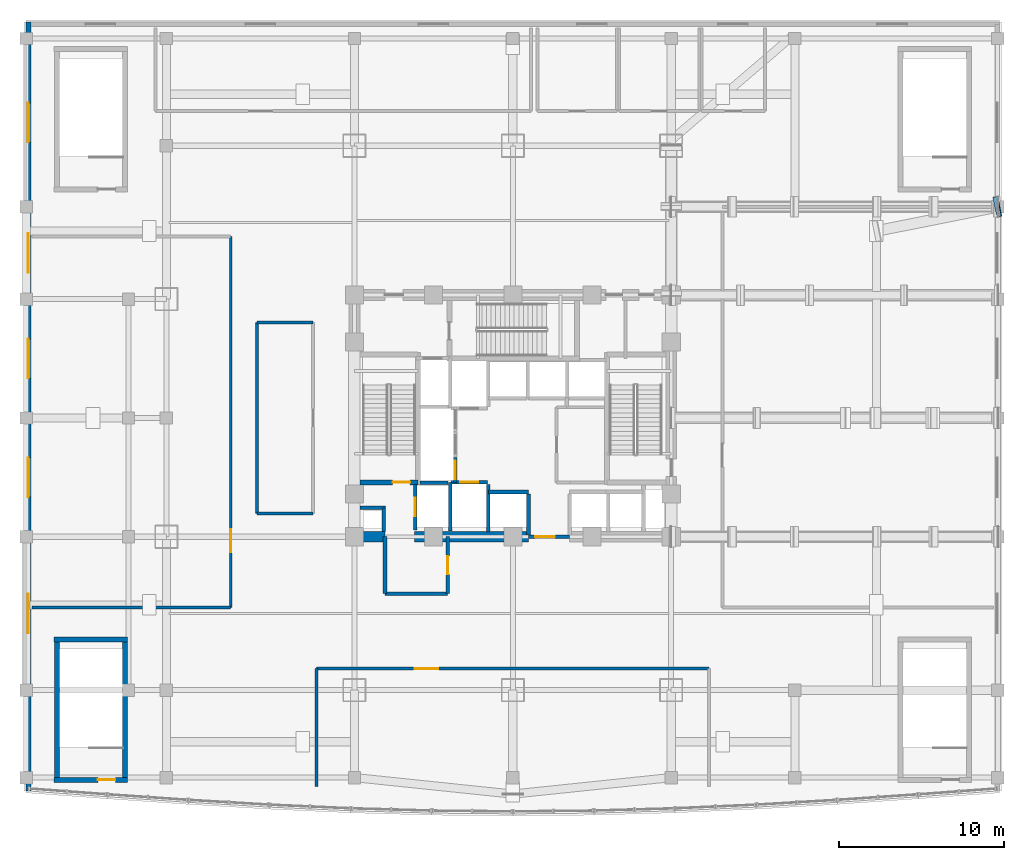
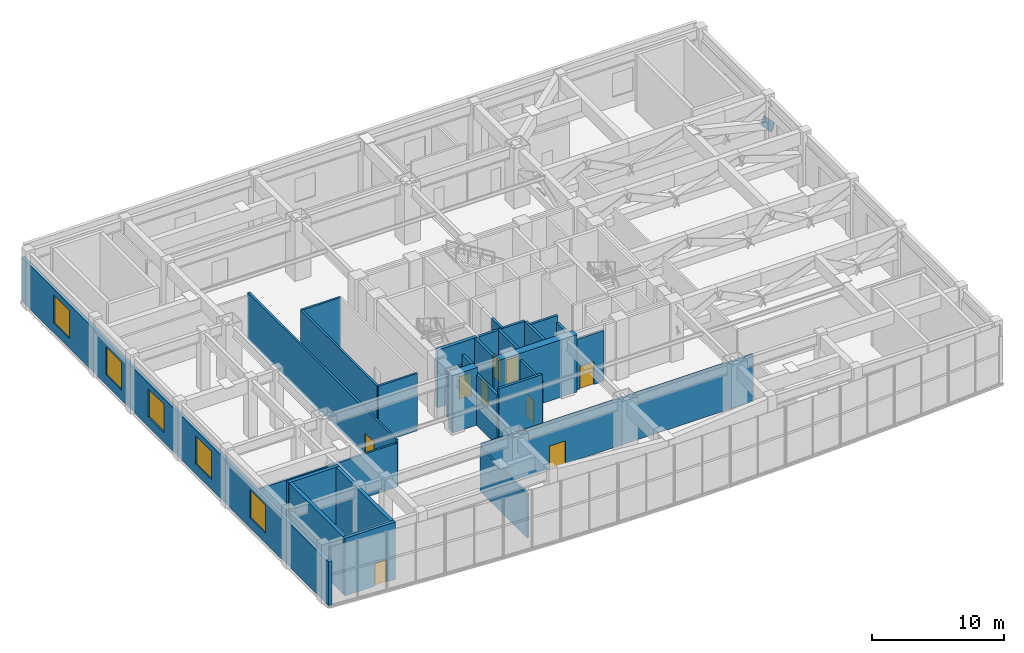
# One storey, part 12 of 19: 29 walls, 9 doors, 5 windows, 1 plate, 14 openings.
"""IFC4 building model written with IfcOpenShell, lengths in metres."""

from ifc_helpers import new_model, si_unit, direction, frame, frame_2d, origin, place, context, subcontext, project, spatial, polyline, rectangle, outline, extrude, material, layer, layer_set, type_object, element, fill, save


model = new_model("IFC4")

# Units and contexts
model_context = context("Model", 3, precision=1e-05, world=origin(), true_north=direction((0.0, 1.0)))
body_context = subcontext(model_context, "Body", "Model", "MODEL_VIEW")
ifc_project = project(units=[si_unit("LENGTHUNIT", "METRE"), si_unit("AREAUNIT", "SQUARE_METRE"), si_unit("VOLUMEUNIT", "CUBIC_METRE"), si_unit("PLANEANGLEUNIT", "RADIAN"), si_unit("MASSUNIT", "GRAM", prefix="KILO")], contexts=[model_context])

# Site, building, storey
site_placement = place(None, origin())
site = spatial("IfcSite", under=ifc_project, at=site_placement, CompositionType="ELEMENT")
building_placement = place(site_placement, origin())
building = spatial("IfcBuilding", under=site, at=building_placement, Name="Vantalir Tower", CompositionType="ELEMENT")
storey_placement = place(building_placement, frame((0.0, 0.0, 21.5)))
storey = spatial("IfcBuildingStorey", under=building, at=storey_placement, Name="L04", CompositionType="ELEMENT", Elevation=21.5)

# Plate
ifc_material_1 = material(Name="Steel S460", Category="steel")
ifc_layer_1 = layer(ifc_material_1, 0.050048828125)
ifc_layer_set_1 = layer_set([ifc_layer_1], Name="Steel S460")
plate_type = type_object("IfcPlateType", Name="PLT-TN-01", PredefinedType="USERDEFINED", material=ifc_layer_set_1)
plate_placement = place(storey_placement, frame((60.59521484375, 38.37646484375, 2.151611328125), z_axis=(-0.92076637307, -0.183658140337, 0.344178694447), x_axis=(0.19559791222, -0.980684177387, -3.0949219e-05)))
element("IfcPlate", 1, at=plate_placement, inside=storey, type_object=plate_type, Name="Node Cap Plate MEM-L04-XSTRUT-02 Start", ObjectType="FLANGE_PLATE", PredefinedType="USERDEFINED", context=body_context, shape_type="SweptSolid", body=[
    extrude(outline(polyline([(0.0, 0.0), (1.2499533117169481, 0.0), (1.2499718237968156, 0.819906980363712), (-2.9241316670640397e-05, 0.819824574044397), (0.0, 0.0)])), origin(), (0.0, 0.0, -1.0), 0.050048828125),
])

# Walls
ifc_material_2 = material(Name="Concrete C60/75", Category="concrete")
ifc_layer_2 = layer(ifc_material_2, 0.64990234375)
ifc_layer_set_2 = layer_set([ifc_layer_2], Name="Concrete C60/75")
wall_type_1 = type_object("IfcWallType", Name="WL-CORE-650", PredefinedType="SHEAR", material=ifc_layer_set_2)
wall_1_placement = place(storey_placement, frame((21.574951171875, 17.800048828125, 0.0), z_axis=(0.0, 0.0, 1.0), x_axis=(1.0, 0.0, 0.0)))
element("IfcWall", 2, at=wall_1_placement, inside=storey, type_object=wall_type_1, Name="L04 Core Shear Wall South-West", PredefinedType="SHEAR", context=body_context, shape_type="SweptSolid", body=[
    extrude(rectangle(XDim=2.175048828125, YDim=0.64990234375, at=frame_2d((1.08740234375, 0.0))), origin(), (0.0, 0.0, 1.0), 5.320068359375),
])
wall_2_placement = place(storey_placement, frame((25.550048828125, 17.800048828125, 0.0), z_axis=(0.0, 0.0, 1.0), x_axis=(1.0, 0.0, 0.0)))
element("IfcWall", 3, at=wall_2_placement, inside=storey, type_object=wall_type_1, Name="L04 Core Shear Wall South-Mid", PredefinedType="SHEAR", context=body_context, shape_type="SweptSolid", body=[
    extrude(rectangle(XDim=6.89990234375, YDim=0.64990234375, at=frame_2d((3.449951171875, 0.0))), origin(), (0.0, 0.0, 1.0), 5.320068359375),
])

# Wall, openings, windows
ifc_material_3 = material(Name="Precast concrete C40/50 with insulated PVDF rainscreen", Category="concrete")
ifc_layer_3 = layer(ifc_material_3, 0.280029296875)
ifc_layer_set_3 = layer_set([ifc_layer_3], Name="Precast concrete C40/50 with insulated PVDF rainscreen")
wall_type_2 = type_object("IfcWallType", Name="WL-EXT-POD-280", PredefinedType="SOLIDWALL", material=ifc_layer_set_3)
wall_3_placement = place(storey_placement, frame((2.139892578125, 49.0, 0.0), z_axis=(0.0, 0.0, 1.0), x_axis=(0.0, -1.0, 0.0)))
wall_3 = element("IfcWall", 4, at=wall_3_placement, inside=storey, type_object=wall_type_2, Name="L04 Podium West Precast Facade Wall", PredefinedType="SOLIDWALL", context=body_context, shape_type="SweptSolid", body=[
    extrude(rectangle(XDim=46.60009765625, YDim=0.280029296875, at=frame_2d((23.300048828125, 0.0))), origin(), (0.0, 0.0, 1.0), 4.044921875),
])
opening_1_placement = place(wall_3_placement, frame((34.64990234375, 0.0, 0.89990234375)))
opening_1 = element("IfcOpeningElement", 5, at=opening_1_placement, cuts=wall_3, Name="Opening WN-1", PredefinedType="OPENING", context=body_context, shape_type="SweptSolid", body=[
    extrude(rectangle(XDim=2.39990234375, YDim=2.60009765625, at=frame_2d((1.199951171875, 1.300048828125))), frame((0.0, 0.14990234375, 0.0), z_axis=(0.0, -1.0, 0.0), x_axis=(1.0, 0.0, 0.0)), (0.0, 0.0, 1.0), 0.300048828125),
])
opening_2_placement = place(wall_3_placement, frame((26.39990234375, 0.0, 0.89990234375)))
opening_2 = element("IfcOpeningElement", 6, at=opening_2_placement, cuts=wall_3, Name="Opening WN-1", PredefinedType="OPENING", context=body_context, shape_type="SweptSolid", body=[
    extrude(rectangle(XDim=2.39990234375, YDim=2.60009765625, at=frame_2d((1.199951171875, 1.300048828125))), frame((0.0, 0.14990234375, 0.0), z_axis=(0.0, -1.0, 0.0), x_axis=(1.0, 0.0, 0.0)), (0.0, 0.0, 1.0), 0.300048828125),
])
opening_3_placement = place(wall_3_placement, frame((19.199951171875, 0.0, 0.89990234375)))
opening_3 = element("IfcOpeningElement", 7, at=opening_3_placement, cuts=wall_3, Name="Opening WN-1", PredefinedType="OPENING", context=body_context, shape_type="SweptSolid", body=[
    extrude(rectangle(XDim=2.39990234375, YDim=2.60009765625, at=frame_2d((1.199951171875, 1.300048828125))), frame((0.0, 0.14990234375, 0.0), z_axis=(0.0, -1.0, 0.0), x_axis=(1.0, 0.0, 0.0)), (0.0, 0.0, 1.0), 0.300048828125),
])
opening_4_placement = place(wall_3_placement, frame((12.800048828125, 0.0, 0.89990234375)))
opening_4 = element("IfcOpeningElement", 8, at=opening_4_placement, cuts=wall_3, Name="Opening WN-1", PredefinedType="OPENING", context=body_context, shape_type="SweptSolid", body=[
    extrude(rectangle(XDim=2.39990234375, YDim=2.60009765625, at=frame_2d((1.199951171875, 1.300048828125))), frame((0.0, 0.14990234375, 0.0), z_axis=(0.0, -1.0, 0.0), x_axis=(1.0, 0.0, 0.0)), (0.0, 0.0, 1.0), 0.300048828125),
])
opening_5_placement = place(wall_3_placement, frame((4.89990234375, 0.0, 0.89990234375)))
opening_5 = element("IfcOpeningElement", 9, at=opening_5_placement, cuts=wall_3, Name="Opening WN-1", PredefinedType="OPENING", context=body_context, shape_type="SweptSolid", body=[
    extrude(rectangle(XDim=2.39990234375, YDim=2.60009765625, at=frame_2d((1.199951171875, 1.300048828125))), frame((0.0, 0.14990234375, 0.0), z_axis=(0.0, -1.0, 0.0), x_axis=(1.0, 0.0, 0.0)), (0.0, 0.0, 1.0), 0.300048828125),
])
ifc_material_4 = material(Name="Double-silver Low-E thermally broken window", Category="glass")
window_type = type_object("IfcWindowType", Name="WIN-POD-2400x2600", PartitioningType="SINGLE_PANEL", PredefinedType="WINDOW", material=ifc_material_4)
window_1_placement = place(opening_1_placement, origin())
window_1 = element("IfcWindow", 10, at=window_1_placement, inside=storey, type_object=window_type, Name="L04 West Podium Window W01", OverallHeight=2.60009765625, OverallWidth=2.39990234375, PartitioningType="SINGLE_PANEL", PredefinedType="WINDOW", context=body_context, shape_type="SweptSolid", body=[
    extrude(rectangle(XDim=2.39990234375, YDim=2.60009765625, at=frame_2d((1.199951171875, 1.300048828125))), frame((0.0, 0.030029296875, 0.0), z_axis=(0.0, -1.0, 0.0), x_axis=(1.0, 0.0, 0.0)), (0.0, 0.0, 1.0), 0.06005859375),
])
fill(opening_1, window_1)
window_2_placement = place(opening_2_placement, origin())
window_2 = element("IfcWindow", 11, at=window_2_placement, inside=storey, type_object=window_type, Name="L04 West Podium Window W02", OverallHeight=2.60009765625, OverallWidth=2.39990234375, PartitioningType="SINGLE_PANEL", PredefinedType="WINDOW", context=body_context, shape_type="SweptSolid", body=[
    extrude(rectangle(XDim=2.39990234375, YDim=2.60009765625, at=frame_2d((1.199951171875, 1.300048828125))), frame((0.0, 0.030029296875, 0.0), z_axis=(0.0, -1.0, 0.0), x_axis=(1.0, 0.0, 0.0)), (0.0, 0.0, 1.0), 0.06005859375),
])
fill(opening_2, window_2)
window_3_placement = place(opening_3_placement, origin())
window_3 = element("IfcWindow", 12, at=window_3_placement, inside=storey, type_object=window_type, Name="L04 West Podium Window W03", OverallHeight=2.60009765625, OverallWidth=2.39990234375, PartitioningType="SINGLE_PANEL", PredefinedType="WINDOW", context=body_context, shape_type="SweptSolid", body=[
    extrude(rectangle(XDim=2.39990234375, YDim=2.60009765625, at=frame_2d((1.199951171875, 1.300048828125))), frame((0.0, 0.030029296875, 0.0), z_axis=(0.0, -1.0, 0.0), x_axis=(1.0, 0.0, 0.0)), (0.0, 0.0, 1.0), 0.06005859375),
])
fill(opening_3, window_3)
window_4_placement = place(opening_4_placement, origin())
window_4 = element("IfcWindow", 13, at=window_4_placement, inside=storey, type_object=window_type, Name="L04 West Podium Window W04", OverallHeight=2.60009765625, OverallWidth=2.39990234375, PartitioningType="SINGLE_PANEL", PredefinedType="WINDOW", context=body_context, shape_type="SweptSolid", body=[
    extrude(rectangle(XDim=2.39990234375, YDim=2.60009765625, at=frame_2d((1.199951171875, 1.300048828125))), frame((0.0, 0.030029296875, 0.0), z_axis=(0.0, -1.0, 0.0), x_axis=(1.0, 0.0, 0.0)), (0.0, 0.0, 1.0), 0.06005859375),
])
fill(opening_4, window_4)
window_5_placement = place(opening_5_placement, origin())
window_5 = element("IfcWindow", 14, at=window_5_placement, inside=storey, type_object=window_type, Name="L04 West Podium Window W05", OverallHeight=2.60009765625, OverallWidth=2.39990234375, PartitioningType="SINGLE_PANEL", PredefinedType="WINDOW", context=body_context, shape_type="SweptSolid", body=[
    extrude(rectangle(XDim=2.39990234375, YDim=2.60009765625, at=frame_2d((1.199951171875, 1.300048828125))), frame((0.0, 0.030029296875, 0.0), z_axis=(0.0, -1.0, 0.0), x_axis=(1.0, 0.0, 0.0)), (0.0, 0.0, 1.0), 0.06005859375),
])
fill(opening_5, window_5)

# Walls
ifc_material_5 = material(Name="Concrete blockwork with fireboard lining", Category="masonry")
ifc_layer_4 = layer(ifc_material_5, 0.219970703125)
ifc_layer_set_4 = layer_set([ifc_layer_4], Name="Concrete blockwork with fireboard lining")
wall_type_3 = type_object("IfcWallType", Name="WL-FFL-220", PredefinedType="PARTITIONING", material=ifc_layer_set_4)
wall_4_placement = place(storey_placement, frame((30.0, 18.080078125, 0.0), z_axis=(0.0, 0.0, 1.0), x_axis=(0.0, 1.0, 0.0)))
element("IfcWall", 15, at=wall_4_placement, inside=storey, type_object=wall_type_3, Name="L04 Service Lift SV1 East Shaft Wall", PredefinedType="PARTITIONING", context=body_context, shape_type="SweptSolid", body=[
    extrude(rectangle(XDim=2.89990234375, YDim=0.219970703125, at=frame_2d((1.449951171875, 0.0))), origin(), (0.0, 0.0, 1.0), 5.294921875),
])
wall_5_placement = place(storey_placement, frame((32.449951171875, 17.919921875, 0.0), z_axis=(0.0, 0.0, 1.0), x_axis=(0.0, 1.0, 0.0)))
element("IfcWall", 16, at=wall_5_placement, inside=storey, type_object=wall_type_3, Name="L04 Shuttle Lift PL-X1 East Shaft Cheek", PredefinedType="PARTITIONING", context=body_context, shape_type="SweptSolid", body=[
    extrude(rectangle(XDim=2.469970703125, YDim=0.219970703125, at=frame_2d((1.23486328125, 0.0))), origin(), (0.0, 0.0, 1.0), 4.678955078125),
])

# Wall, opening, door
wall_6_placement = place(storey_placement, frame((32.449951171875, 17.800048828125, 0.0), z_axis=(0.0, 0.0, 1.0), x_axis=(1.0, 0.0, 0.0)))
wall_6 = element("IfcWall", 17, at=wall_6_placement, inside=storey, type_object=wall_type_3, Name="L04 Passenger Lift Lobby South Wall", PredefinedType="PARTITIONING", context=body_context, shape_type="SweptSolid", body=[
    extrude(rectangle(XDim=2.5, YDim=0.219970703125, at=frame_2d((1.25, 0.0))), origin(), (0.0, 0.0, 1.0), 4.678955078125),
])
opening_6_placement = place(wall_6_placement, frame((0.39990234375, 0.0, 0.0)))
opening_6 = element("IfcOpeningElement", 18, at=opening_6_placement, cuts=wall_6, Name="Opening D-STE", PredefinedType="OPENING", context=body_context, shape_type="SweptSolid", body=[
    extrude(rectangle(XDim=1.199951171875, YDim=2.10009765625, at=frame_2d((0.60009765625, 1.050048828125))), frame((0.0, 0.119873046875, 0.0), z_axis=(0.0, -1.0, 0.0), x_axis=(1.0, 0.0, 0.0)), (0.0, 0.0, 1.0), 0.239990234375),
])
ifc_material_6 = material(Name="Solid-core teak veneer suite entrance door", Category="wood")
door_type_1 = type_object("IfcDoorType", Name="DR-SUITE-ENTRY-1200", OperationType="NOTDEFINED", PredefinedType="DOOR", material=ifc_material_6)
door_1_placement = place(opening_6_placement, origin())
door_1 = element("IfcDoor", 19, at=door_1_placement, inside=storey, type_object=door_type_1, Name="L04 Passenger Lift Lobby Concourse Door", OperationType="SINGLE_SWING_LEFT", OverallHeight=2.10009765625, OverallWidth=1.199951171875, PredefinedType="DOOR", context=body_context, shape_type="SweptSolid", body=[
    extrude(rectangle(XDim=1.199951171875, YDim=2.10009765625, at=frame_2d((0.60009765625, 1.050048828125))), frame((0.0, 0.02490234375, 0.0), z_axis=(0.0, -1.0, 0.0), x_axis=(1.0, 0.0, 0.0)), (0.0, 0.0, 1.0), 0.050048828125),
])
fill(opening_6, door_1)

# Walls
wall_7_placement = place(storey_placement, frame((23.679931640625, 18.125, 0.0), z_axis=(0.0, 0.0, 1.0), x_axis=(0.0, 1.0, 0.0)))
element("IfcWall", 20, at=wall_7_placement, inside=storey, type_object=wall_type_3, Name="L04 West MEP Riser Wall E", PredefinedType="PARTITIONING", context=body_context, shape_type="SweptSolid", body=[
    extrude(rectangle(XDim=1.425048828125, YDim=0.219970703125, at=frame_2d((0.71240234375, 0.0))), origin(), (0.0, 0.0, 1.0), 5.300048828125),
])
wall_8_placement = place(storey_placement, frame((22.22509765625, 19.550048828125, 0.0), z_axis=(0.0, 0.0, 1.0), x_axis=(1.0, 0.0, 0.0)))
element("IfcWall", 21, at=wall_8_placement, inside=storey, type_object=wall_type_3, Name="L04 West MEP Riser Wall N", PredefinedType="PARTITIONING", context=body_context, shape_type="SweptSolid", body=[
    extrude(rectangle(XDim=1.56494140625, YDim=0.219970703125, at=frame_2d((0.782470703125, 0.0))), origin(), (0.0, 0.0, 1.0), 4.344970703125),
])

# Wall, opening, door
wall_9_placement = place(storey_placement, frame((25.590087890625, 18.219970703125, 0.0), z_axis=(0.0, 0.0, 1.0), x_axis=(0.0, 1.0, 0.0)))
wall_9 = element("IfcWall", 22, at=wall_9_placement, inside=storey, type_object=wall_type_3, Name="L04 Lift FL1 Shaft Front Wall", PredefinedType="PARTITIONING", context=body_context, shape_type="SweptSolid", body=[
    extrude(rectangle(XDim=2.760009765625, YDim=0.219970703125, at=frame_2d((1.3798828125, 0.0))), origin(), (0.0, 0.0, 1.0), 5.300048828125),
])
opening_7_placement = place(wall_9_placement, frame((0.830078125, 0.0, 0.0)))
opening_7 = element("IfcOpeningElement", 23, at=opening_7_placement, cuts=wall_9, Name="Opening LD-FL1", PredefinedType="OPENING", context=body_context, shape_type="SweptSolid", body=[
    extrude(rectangle(XDim=1.10009765625, YDim=2.199951171875, at=frame_2d((0.550048828125, 1.10009765625))), frame((0.0, 0.119873046875, 0.0), z_axis=(0.0, -1.0, 0.0), x_axis=(1.0, 0.0, 0.0)), (0.0, 0.0, 1.0), 0.239990234375),
])
ifc_material_7 = material(Name="Brushed stainless-steel sliding lift landing door", Category="steel")
door_type_2 = type_object("IfcDoorType", Name="DR-LIFT-LANDING-1100", OperationType="DOUBLE_DOOR_SLIDING", PredefinedType="DOOR", material=ifc_material_7)
door_2_placement = place(opening_7_placement, origin())
door_2 = element("IfcDoor", 24, at=door_2_placement, inside=storey, type_object=door_type_2, Name="L04 Lift Landing Door FL1", OperationType="DOUBLE_DOOR_SLIDING", OverallHeight=2.199951171875, OverallWidth=1.10009765625, PredefinedType="DOOR", context=body_context, shape_type="SweptSolid", body=[
    extrude(rectangle(XDim=1.10009765625, YDim=2.199951171875, at=frame_2d((0.550048828125, 1.10009765625))), frame((0.0, 0.02490234375, 0.0), z_axis=(0.0, -1.0, 0.0), x_axis=(1.0, 0.0, 0.0)), (0.0, 0.0, 1.0), 0.050048828125),
])
fill(opening_7, door_2)

wall_10_placement = place(storey_placement, frame((27.739990234375, 21.110107421875, 0.0), z_axis=(0.0, 0.0, 1.0), x_axis=(1.0, 0.0, 0.0)))
wall_10 = element("IfcWall", 25, at=wall_10_placement, inside=storey, type_object=wall_type_3, Name="L04 Lift SV1 Shaft Front Wall", PredefinedType="PARTITIONING", context=body_context, shape_type="SweptSolid", body=[
    extrude(rectangle(XDim=2.219970703125, YDim=0.219970703125, at=frame_2d((1.10986328125, 0.0))), origin(), (0.0, 0.0, 1.0), 5.300048828125),
])
opening_8_placement = place(wall_10_placement, frame((0.56005859375, 0.0, 0.0)))
opening_8 = element("IfcOpeningElement", 26, at=opening_8_placement, cuts=wall_10, Name="Opening LD-SV1", PredefinedType="OPENING", context=body_context, shape_type="SweptSolid", body=[
    extrude(rectangle(XDim=1.10009765625, YDim=2.199951171875, at=frame_2d((0.550048828125, 1.10009765625))), frame((0.0, 0.119873046875, 0.0), z_axis=(0.0, -1.0, 0.0), x_axis=(1.0, 0.0, 0.0)), (0.0, 0.0, 1.0), 0.239990234375),
])
door_3_placement = place(opening_8_placement, origin())
door_3 = element("IfcDoor", 27, at=door_3_placement, inside=storey, type_object=door_type_2, Name="L04 Lift Landing Door SV1", OperationType="DOUBLE_DOOR_SLIDING", OverallHeight=2.199951171875, OverallWidth=1.10009765625, PredefinedType="DOOR", context=body_context, shape_type="SweptSolid", body=[
    extrude(rectangle(XDim=1.10009765625, YDim=2.199951171875, at=frame_2d((0.550048828125, 1.10009765625))), frame((0.0, 0.02490234375, 0.0), z_axis=(0.0, -1.0, 0.0), x_axis=(1.0, 0.0, 0.0)), (0.0, 0.0, 1.0), 0.050048828125),
])
fill(opening_8, door_3)

# Wall
wall_11_placement = place(storey_placement, frame((30.0400390625, 20.510009765625, 0.0), z_axis=(0.0, 0.0, 1.0), x_axis=(1.0, 0.0, 0.0)))
element("IfcWall", 28, at=wall_11_placement, inside=storey, type_object=wall_type_3, Name="L04 Lift PL-X1 Shaft Front Wall", PredefinedType="PARTITIONING", context=body_context, shape_type="SweptSolid", body=[
    extrude(rectangle(XDim=2.419921875, YDim=0.219970703125, at=frame_2d((1.2099609375, 0.0))), origin(), (0.0, 0.0, 1.0), 5.300048828125),
])

# Wall, opening, door
wall_12_placement = place(storey_placement, frame((28.010009765625, 21.10009765625, 0.0), z_axis=(0.0, 0.0, 1.0), x_axis=(0.0, 1.0, 0.0)))
wall_12 = element("IfcWall", 29, at=wall_12_placement, inside=storey, type_object=wall_type_3, Name="L04 Lift PL-L1 Shaft Front Wall", PredefinedType="PARTITIONING", context=body_context, shape_type="SweptSolid", body=[
    extrude(rectangle(XDim=1.5, YDim=0.219970703125, at=frame_2d((0.75, 0.0))), origin(), (0.0, 0.0, 1.0), 5.300048828125),
])
opening_9_placement = place(wall_12_placement, frame((0.199951171875, 0.0, 0.0)))
opening_9 = element("IfcOpeningElement", 30, at=opening_9_placement, cuts=wall_12, Name="Opening LD-PL-L1", PredefinedType="OPENING", context=body_context, shape_type="SweptSolid", body=[
    extrude(rectangle(XDim=1.10009765625, YDim=2.199951171875, at=frame_2d((0.550048828125, 1.10009765625))), frame((0.0, 0.119873046875, 0.0), z_axis=(0.0, -1.0, 0.0), x_axis=(1.0, 0.0, 0.0)), (0.0, 0.0, 1.0), 0.239990234375),
])
door_4_placement = place(opening_9_placement, frame((1.10009765625, 0.0, 0.0), z_axis=(0.0, 0.0, 1.0), x_axis=(-1.0, 0.0, 0.0)))
door_4 = element("IfcDoor", 31, at=door_4_placement, inside=storey, type_object=door_type_2, Name="L04 Lift Landing Door PL-L1", OperationType="DOUBLE_DOOR_SLIDING", OverallHeight=2.199951171875, OverallWidth=1.10009765625, PredefinedType="DOOR", context=body_context, shape_type="SweptSolid", body=[
    extrude(rectangle(XDim=1.10009765625, YDim=2.199951171875, at=frame_2d((0.550048828125, 1.10009765625))), frame((0.0, 0.02490234375, 0.0), z_axis=(0.0, -1.0, 0.0), x_axis=(1.0, 0.0, 0.0)), (0.0, 0.0, 1.0), 0.050048828125),
])
fill(opening_9, door_4)

# Walls
wall_13_placement = place(storey_placement, frame((27.699951171875, 18.14990234375, 0.0), z_axis=(0.0, 0.0, 1.0), x_axis=(0.0, 1.0, 0.0)))
element("IfcWall", 32, at=wall_13_placement, inside=storey, type_object=wall_type_3, Name="L04 Fire Lift FL1 Dividing Wall", PredefinedType="PARTITIONING", context=body_context, shape_type="SweptSolid", body=[
    extrude(rectangle(XDim=2.9501953125, YDim=0.219970703125, at=frame_2d((1.47509765625, 0.0))), origin(), (0.0, 0.0, 1.0), 5.300048828125),
])
wall_14_placement = place(storey_placement, frame((25.8798828125, 21.080078125, 0.0), z_axis=(0.0, 0.0, 1.0), x_axis=(1.0, 0.0, 0.0)))
element("IfcWall", 33, at=wall_14_placement, inside=storey, type_object=wall_type_3, Name="L04 Low-Rise Bank South Wall", PredefinedType="PARTITIONING", context=body_context, shape_type="SweptSolid", body=[
    extrude(rectangle(XDim=1.7001953125, YDim=0.219970703125, at=frame_2d((0.85009765625, 0.0))), origin(), (0.0, 0.0, 1.0), 5.300048828125),
])
wall_15_placement = place(storey_placement, frame((23.75, 14.35009765625, 0.0), z_axis=(0.0, 0.0, 1.0), x_axis=(0.0, 1.0, 0.0)))
element("IfcWall", 34, at=wall_15_placement, inside=storey, type_object=wall_type_3, Name="L04 Firefighting Lobby West Outer W", PredefinedType="PARTITIONING", context=body_context, shape_type="SweptSolid", body=[
    extrude(rectangle(XDim=3.449951171875, YDim=0.219970703125, at=frame_2d((1.72509765625, 0.0))), origin(), (0.0, 0.0, 1.0), 4.678955078125),
])
wall_16_placement = place(storey_placement, frame((23.75, 14.35009765625, 0.0), z_axis=(0.0, 0.0, 1.0), x_axis=(1.0, 0.0, 0.0)))
element("IfcWall", 35, at=wall_16_placement, inside=storey, type_object=wall_type_3, Name="L04 Firefighting Lobby West South Wall", PredefinedType="PARTITIONING", context=body_context, shape_type="SweptSolid", body=[
    extrude(rectangle(XDim=3.800048828125, YDim=0.219970703125, at=frame_2d((1.89990234375, 0.0))), origin(), (0.0, 0.0, 1.0), 5.300048828125),
])

# Wall, opening, door
wall_17_placement = place(storey_placement, frame((27.550048828125, 14.35009765625, 0.0), z_axis=(0.0, 0.0, 1.0), x_axis=(0.0, 1.0, 0.0)))
wall_17 = element("IfcWall", 36, at=wall_17_placement, inside=storey, type_object=wall_type_3, Name="L04 Firefighting Lobby West East Wall", PredefinedType="PARTITIONING", context=body_context, shape_type="SweptSolid", body=[
    extrude(rectangle(XDim=3.449951171875, YDim=0.219970703125, at=frame_2d((1.72509765625, 0.0))), origin(), (0.0, 0.0, 1.0), 4.678955078125),
])
opening_10_placement = place(wall_17_placement, frame((1.175048828125, 0.0, 0.0)))
opening_10 = element("IfcOpeningElement", 37, at=opening_10_placement, cuts=wall_17, Name="Opening D-FFL", PredefinedType="OPENING", context=body_context, shape_type="SweptSolid", body=[
    extrude(rectangle(XDim=1.10009765625, YDim=2.10009765625, at=frame_2d((0.550048828125, 1.050048828125))), frame((0.0, 0.119873046875, 0.0), z_axis=(0.0, -1.0, 0.0), x_axis=(1.0, 0.0, 0.0)), (0.0, 0.0, 1.0), 0.239990234375),
])
ifc_material_8 = material(Name="Fire-rated acoustic steel door", Category="steel")
door_type_3 = type_object("IfcDoorType", Name="DR-FIRE-LOBBY-1100", OperationType="NOTDEFINED", PredefinedType="DOOR", material=ifc_material_8)
door_5_placement = place(opening_10_placement, origin())
door_5 = element("IfcDoor", 38, at=door_5_placement, inside=storey, type_object=door_type_3, Name="L04 Firefighting Lobby West Access Door", OperationType="SINGLE_SWING_LEFT", OverallHeight=2.10009765625, OverallWidth=1.10009765625, PredefinedType="DOOR", context=body_context, shape_type="SweptSolid", body=[
    extrude(rectangle(XDim=1.10009765625, YDim=2.10009765625, at=frame_2d((0.550048828125, 1.050048828125))), frame((0.0, 0.02490234375, 0.0), z_axis=(0.0, -1.0, 0.0), x_axis=(1.0, 0.0, 0.0)), (0.0, 0.0, 1.0), 0.050048828125),
])
fill(opening_10, door_5)

# Wall
ifc_material_9 = material(Name="Twin-stud acoustic fire-rated gypsum partition", Category="gypsum")
ifc_layer_5 = layer(ifc_material_9, 0.179931640625)
ifc_layer_set_5 = layer_set([ifc_layer_5], Name="Twin-stud acoustic fire-rated gypsum partition")
wall_type_4 = type_object("IfcWallType", Name="WL-GUEST-180", PredefinedType="PARTITIONING", material=ifc_layer_set_5)
wall_18_placement = place(storey_placement, frame((2.35009765625, 13.5, 0.0), z_axis=(0.0, 0.0, 1.0), x_axis=(1.0, 0.0, 0.0)))
element("IfcWall", 39, at=wall_18_placement, inside=storey, type_object=wall_type_4, Name="L04 West Ring Transfer Mechanical Plant Room South Wall", PredefinedType="PARTITIONING", context=body_context, shape_type="SweptSolid", body=[
    extrude(rectangle(XDim=12.0498046875, YDim=0.179931640625, at=frame_2d((6.02490234375, 0.0))), origin(), (0.0, 0.0, 1.0), 4.054931640625),
])

# Wall, opening, door
wall_19_placement = place(storey_placement, frame((14.39990234375, 13.5, 0.0), z_axis=(0.0, 0.0, 1.0), x_axis=(0.0, 1.0, 0.0)))
wall_19 = element("IfcWall", 40, at=wall_19_placement, inside=storey, type_object=wall_type_4, Name="L04 West Ring Transfer Mechanical Plant Room East Wall", PredefinedType="PARTITIONING", context=body_context, shape_type="SweptSolid", body=[
    extrude(rectangle(XDim=22.5, YDim=0.179931640625, at=frame_2d((11.25, 0.0))), origin(), (0.0, 0.0, 1.0), 4.327880859375),
])
opening_11_placement = place(wall_19_placement, frame((3.35009765625, 0.0, 0.0)))
opening_11 = element("IfcOpeningElement", 41, at=opening_11_placement, cuts=wall_19, Name="Opening D-PLANT", PredefinedType="OPENING", context=body_context, shape_type="SweptSolid", body=[
    extrude(rectangle(XDim=1.39990234375, YDim=2.10009765625, at=frame_2d((0.699951171875, 1.050048828125))), frame((0.0, 0.099853515625, 0.0), z_axis=(0.0, -1.0, 0.0), x_axis=(1.0, 0.0, 0.0)), (0.0, 0.0, 1.0), 0.199951171875),
])
ifc_material_10 = material(Name="Louvred fire-rated steel plant double door", Category="steel")
door_type_4 = type_object("IfcDoorType", Name="DR-PLANT-1400", OperationType="DOUBLE_DOOR_SINGLE_SWING", PredefinedType="DOOR", material=ifc_material_10)
door_6_placement = place(opening_11_placement, origin())
door_6 = element("IfcDoor", 42, at=door_6_placement, inside=storey, type_object=door_type_4, Name="L04 West Ring Transfer Mechanical Plant Room Door", OperationType="DOUBLE_DOOR_SINGLE_SWING", OverallHeight=2.10009765625, OverallWidth=1.39990234375, PredefinedType="DOOR", context=body_context, shape_type="SweptSolid", body=[
    extrude(rectangle(XDim=1.39990234375, YDim=2.10009765625, at=frame_2d((0.699951171875, 1.050048828125))), frame((0.0, 0.02490234375, 0.0), z_axis=(0.0, -1.0, 0.0), x_axis=(1.0, 0.0, 0.0)), (0.0, 0.0, 1.0), 0.050048828125),
])
fill(opening_11, door_6)

wall_20_placement = place(storey_placement, frame((19.60009765625, 9.800048828125, 0.0), z_axis=(0.0, 0.0, 1.0), x_axis=(1.0, 0.0, 0.0)))
wall_20 = element("IfcWall", 43, at=wall_20_placement, inside=storey, type_object=wall_type_4, Name="L04 South Podium AHU and Chilled Water Plant North Wall", PredefinedType="PARTITIONING", context=body_context, shape_type="SweptSolid", body=[
    extrude(rectangle(XDim=23.7998046875, YDim=0.179931640625, at=frame_2d((11.89990234375, 0.0))), origin(), (0.0, 0.0, 1.0), 4.327880859375),
])
opening_12_placement = place(wall_20_placement, frame((5.964111328125, 0.0, 0.0)))
opening_12 = element("IfcOpeningElement", 44, at=opening_12_placement, cuts=wall_20, Name="Opening D-PLANT", PredefinedType="OPENING", context=body_context, shape_type="SweptSolid", body=[
    extrude(rectangle(XDim=1.39990234375, YDim=2.10009765625, at=frame_2d((0.699951171875, 1.050048828125))), frame((0.0, 0.099853515625, 0.0), z_axis=(0.0, -1.0, 0.0), x_axis=(1.0, 0.0, 0.0)), (0.0, 0.0, 1.0), 0.199951171875),
])
door_7_placement = place(opening_12_placement, frame((1.39990234375, 0.0, 0.0), z_axis=(0.0, 0.0, 1.0), x_axis=(-1.0, 0.0, 0.0)))
door_7 = element("IfcDoor", 45, at=door_7_placement, inside=storey, type_object=door_type_4, Name="L04 South Podium AHU and Chilled Water Plant Door", OperationType="DOUBLE_DOOR_SINGLE_SWING", OverallHeight=2.10009765625, OverallWidth=1.39990234375, PredefinedType="DOOR", context=body_context, shape_type="SweptSolid", body=[
    extrude(rectangle(XDim=1.39990234375, YDim=2.10009765625, at=frame_2d((0.699951171875, 1.050048828125))), frame((0.0, 0.02490234375, 0.0), z_axis=(0.0, -1.0, 0.0), x_axis=(1.0, 0.0, 0.0)), (0.0, 0.0, 1.0), 0.050048828125),
])
fill(opening_12, door_7)

# Walls
wall_21_placement = place(storey_placement, frame((19.60009765625, 2.64990234375, 0.0), z_axis=(0.0, 0.0, 1.0), x_axis=(0.0, 1.0, 0.0)))
element("IfcWall", 46, at=wall_21_placement, inside=storey, type_object=wall_type_4, Name="L04 South Podium AHU and Chilled Water Plant West Wall", PredefinedType="PARTITIONING", context=body_context, shape_type="SweptSolid", body=[
    extrude(rectangle(XDim=7.150146484375, YDim=0.179931640625, at=frame_2d((3.5751953125, 0.0))), origin(), (0.0, 0.0, 1.0), 4.054931640625),
])
for number, where, z_axis, x_axis, name in (
    (47, (16.0, 19.199951171875, 0.0), (0.0, 0.0, 1.0), (1.0, 0.0, 0.0), "L04 Spa Linen and Equipment Store South Wall"),
    (48, (16.0, 30.800048828125, 0.0), (0.0, 0.0, 1.0), (1.0, 0.0, 0.0), "L04 Spa Linen and Equipment Store North Wall"),
):
    element("IfcWall", number, at=place(storey_placement, frame(where, z_axis=z_axis, x_axis=x_axis)), inside=storey, type_object=wall_type_4, Name=name, PredefinedType="PARTITIONING", context=body_context, shape_type="SweptSolid", body=[
        extrude(rectangle(XDim=3.39990234375, YDim=0.179931640625, at=frame_2d((1.699951171875, 0.0))), origin(), (0.0, 0.0, 1.0), 5.300048828125),
    ])
wall_22_placement = place(storey_placement, frame((16.0, 19.199951171875, 0.0), z_axis=(0.0, 0.0, 1.0), x_axis=(0.0, 1.0, 0.0)))
element("IfcWall", 49, at=wall_22_placement, inside=storey, type_object=wall_type_4, Name="L04 Spa Linen and Equipment Store West Wall", PredefinedType="PARTITIONING", context=body_context, shape_type="SweptSolid", body=[
    extrude(rectangle(XDim=11.60009765625, YDim=0.179931640625, at=frame_2d((5.800048828125, 0.0))), origin(), (0.0, 0.0, 1.0), 5.300048828125),
])

# Wall, opening, door
ifc_material_11 = material(Name="Concrete C50/60", Category="concrete")
ifc_layer_6 = layer(ifc_material_11, 0.300048828125)
ifc_layer_set_6 = layer_set([ifc_layer_6], Name="Concrete C50/60")
wall_type_5 = type_object("IfcWallType", Name="WL-STAIR-300", PredefinedType="SHEAR", material=ifc_layer_set_6)
wall_23_placement = place(storey_placement, frame((22.22509765625, 21.10009765625, 0.0), z_axis=(0.0, 0.0, 1.0), x_axis=(1.0, 0.0, 0.0)))
wall_23 = element("IfcWall", 50, at=wall_23_placement, inside=storey, type_object=wall_type_5, Name="L04 Stair ST1 South Wall", PredefinedType="SHEAR", context=body_context, shape_type="SweptSolid", body=[
    extrude(rectangle(XDim=3.514892578125, YDim=0.300048828125, at=frame_2d((1.75732421875, 0.0))), origin(), (0.0, 0.0, 1.0), 5.320068359375),
])
opening_13_placement = place(wall_23_placement, frame((1.9951171875, 0.0, 0.0)))
opening_13 = element("IfcOpeningElement", 51, at=opening_13_placement, cuts=wall_23, Name="Opening D-ST", PredefinedType="OPENING", context=body_context, shape_type="SweptSolid", body=[
    extrude(rectangle(XDim=1.050048828125, YDim=2.10009765625, at=frame_2d((0.52490234375, 1.050048828125))), frame((0.0, 0.159912109375, 0.0), z_axis=(0.0, -1.0, 0.0), x_axis=(1.0, 0.0, 0.0)), (0.0, 0.0, 1.0), 0.320068359375),
])
ifc_material_12 = material(Name="Fire-rated steel door leaf", Category="steel")
door_type_5 = type_object("IfcDoorType", Name="DR-FIRE-STAIR-1050", OperationType="NOTDEFINED", PredefinedType="DOOR", material=ifc_material_12)
door_8_placement = place(opening_13_placement, origin())
door_8 = element("IfcDoor", 52, at=door_8_placement, inside=storey, type_object=door_type_5, Name="L04 Exit Stair ST1 Fire Door", OperationType="SINGLE_SWING_LEFT", OverallHeight=2.10009765625, OverallWidth=1.050048828125, PredefinedType="DOOR", context=body_context, shape_type="SweptSolid", body=[
    extrude(rectangle(XDim=1.050048828125, YDim=2.10009765625, at=frame_2d((0.52490234375, 1.050048828125))), frame((0.0, 0.02490234375, 0.0), z_axis=(0.0, -1.0, 0.0), x_axis=(1.0, 0.0, 0.0)), (0.0, 0.0, 1.0), 0.050048828125),
])
fill(opening_13, door_8)

wall_24_placement = place(storey_placement, frame((3.699951171875, 3.06005859375, 0.0), z_axis=(0.0, 0.0, 1.0), x_axis=(1.0, 0.0, 0.0)))
wall_24 = element("IfcWall", 53, at=wall_24_placement, inside=storey, type_object=wall_type_5, Name="L04 PST3 South Wall", PredefinedType="SHEAR", context=body_context, shape_type="SweptSolid", body=[
    extrude(rectangle(XDim=4.449951171875, YDim=0.300048828125, at=frame_2d((2.22509765625, 0.0))), origin(), (0.0, 0.0, 1.0), 5.320068359375),
])
opening_14_placement = place(wall_24_placement, frame((2.64990234375, 0.0, 0.0)))
opening_14 = element("IfcOpeningElement", 54, at=opening_14_placement, cuts=wall_24, Name="Opening D-ST", PredefinedType="OPENING", context=body_context, shape_type="SweptSolid", body=[
    extrude(rectangle(XDim=1.050048828125, YDim=2.10009765625, at=frame_2d((0.52490234375, 1.050048828125))), frame((0.0, 0.159912109375, 0.0), z_axis=(0.0, -1.0, 0.0), x_axis=(1.0, 0.0, 0.0)), (0.0, 0.0, 1.0), 0.320068359375),
])
door_9_placement = place(opening_14_placement, origin())
door_9 = element("IfcDoor", 55, at=door_9_placement, inside=storey, type_object=door_type_5, Name="L04 Podium Stair PST3 Fire Door", OperationType="SINGLE_SWING_LEFT", OverallHeight=2.10009765625, OverallWidth=1.050048828125, PredefinedType="DOOR", context=body_context, shape_type="SweptSolid", body=[
    extrude(rectangle(XDim=1.050048828125, YDim=2.10009765625, at=frame_2d((0.52490234375, 1.050048828125))), frame((0.0, 0.02490234375, 0.0), z_axis=(0.0, -1.0, 0.0), x_axis=(1.0, 0.0, 0.0)), (0.0, 0.0, 1.0), 0.050048828125),
])
fill(opening_14, door_9)

# Walls
wall_25_placement = place(storey_placement, frame((3.699951171875, 11.56005859375, 0.0), z_axis=(0.0, 0.0, 1.0), x_axis=(1.0, 0.0, 0.0)))
element("IfcWall", 56, at=wall_25_placement, inside=storey, type_object=wall_type_5, Name="L04 PST3 North Wall", PredefinedType="SHEAR", context=body_context, shape_type="SweptSolid", body=[
    extrude(rectangle(XDim=4.449951171875, YDim=0.300048828125, at=frame_2d((2.22509765625, 0.0))), origin(), (0.0, 0.0, 1.0), 5.320068359375),
])
for number, where, z_axis, x_axis, name in (
    (57, (3.860107421875, 3.06005859375, 0.0), (0.0, 0.0, 1.0), (0.0, 1.0, 0.0), "L04 PST3 West Wall"),
    (58, (7.989990234375, 3.06005859375, 0.0), (0.0, 0.0, 1.0), (0.0, 1.0, 0.0), "L04 PST3 East Wall"),
):
    element("IfcWall", number, at=place(storey_placement, frame(where, z_axis=z_axis, x_axis=x_axis)), inside=storey, type_object=wall_type_5, Name=name, PredefinedType="SHEAR", context=body_context, shape_type="SweptSolid", body=[
        extrude(rectangle(XDim=8.5, YDim=0.300048828125, at=frame_2d((4.25, 0.0))), origin(), (0.0, 0.0, 1.0), 5.320068359375),
    ])

save(model, "model.ifc")
